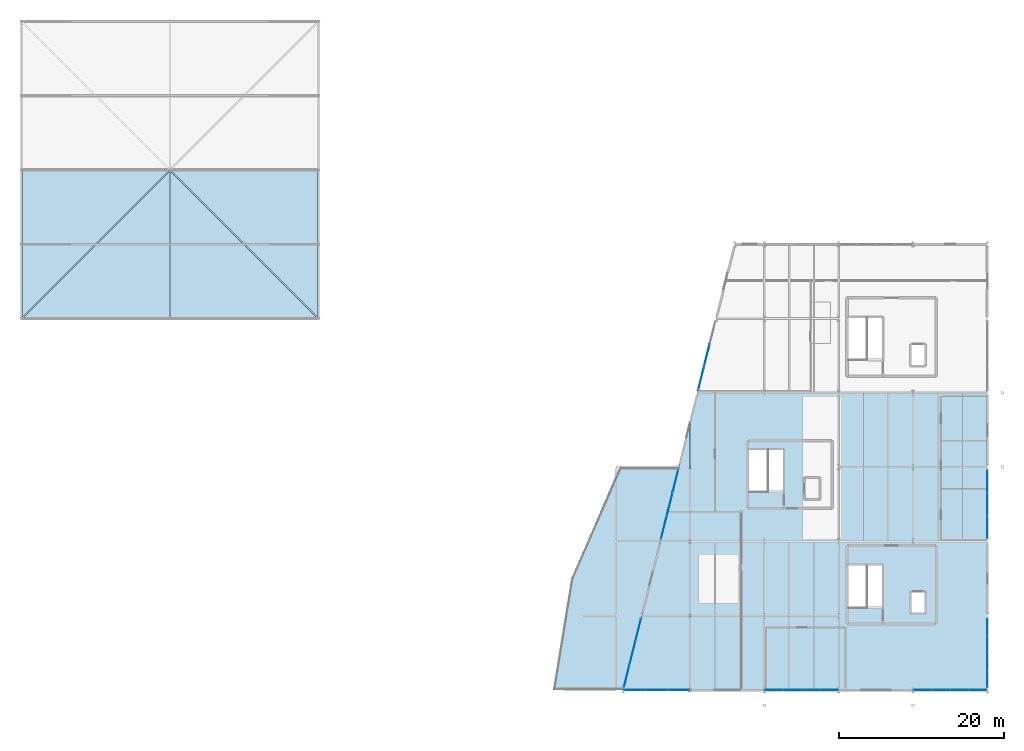
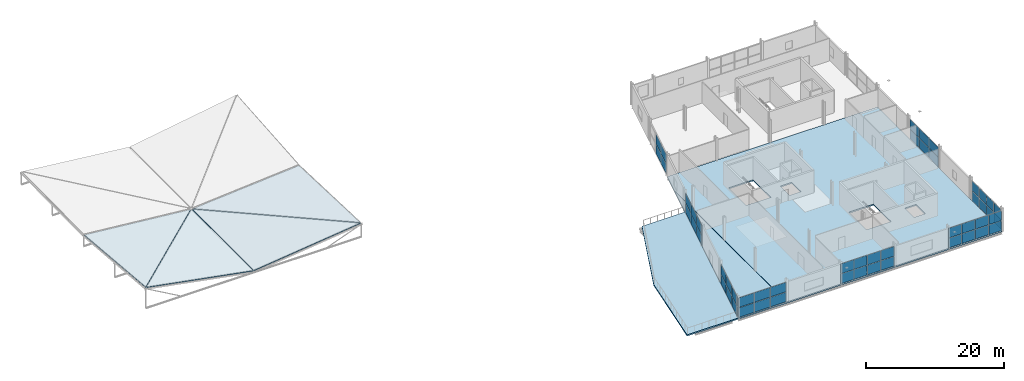
# One storey, part 34 of 44: 52 plates, 7 slabs, 8 elements without a shape of their own.
"""IFC4 building model written with IfcOpenShell, lengths in metres."""

from ifc_helpers import new_model, si_unit, direction, frame, origin, origin_2d, place, context, subcontext, project, spatial, polyline, rectangle, outline, extrude, material, layer, layer_set, type_object, element, aggregate, save


model = new_model("IFC4")

# Units and contexts
model_context = context("Model", 3, precision=1e-05, world=origin(), true_north=direction((0.0, 1.0)))
body_context = subcontext(model_context, "Body", "Model", "MODEL_VIEW")
ifc_project = project(units=[si_unit("LENGTHUNIT", "METRE"), si_unit("AREAUNIT", "SQUARE_METRE"), si_unit("VOLUMEUNIT", "CUBIC_METRE"), si_unit("PLANEANGLEUNIT", "RADIAN"), si_unit("MASSUNIT", "GRAM", prefix="KILO")], contexts=[model_context])

# Site, building, storey
site_placement = place(None, origin())
site = spatial("IfcSite", under=ifc_project, at=site_placement, CompositionType="ELEMENT")
building_placement = place(site_placement, origin())
building = spatial("IfcBuilding", under=site, at=building_placement, Name="Deido Ridge Mobility Hub", CompositionType="ELEMENT")
storey_placement = place(building_placement, frame((0.0, 0.0, 25.199951171875)))
storey = spatial("IfcBuildingStorey", under=building, at=storey_placement, Name="L06", CompositionType="ELEMENT", Elevation=25.199951171875)

# Curtain wall, plates
ifc_material_1 = material(Name="Anodised aluminium EN AW-6063 T6", Category="aluminium")
ifc_layer_1 = layer(ifc_material_1, 0.1650390625, Name="Anodised aluminium EN AW-6063 T6")
ifc_layer_set_1 = layer_set([ifc_layer_1], Name="Anodised aluminium EN AW-6063 T6")
curtain_wall_type_1 = type_object("IfcCurtainWallType", Name="CW-UF-1", PredefinedType="USERDEFINED", material=ifc_layer_set_1)
curtain_wall_1_placement = place(storey_placement, origin())
curtain_wall_1 = element("IfcCurtainWall", 1, at=curtain_wall_1_placement, inside=storey, type_object=curtain_wall_type_1, Name="Unitised curtain wall CW1", ObjectType="UNITISED FACADE", PredefinedType="USERDEFINED")
ifc_material_2 = material(Name="Laminated solar-control low-E glass", Category="glass")
ifc_layer_2 = layer(ifc_material_2, 0.02587890625, Name="Laminated solar-control low-E glass")
ifc_layer_set_2 = layer_set([ifc_layer_2], Name="Laminated solar-control low-E glass")
plate_type_1 = type_object("IfcPlateType", Name="PLT-CWP-26", PredefinedType="CURTAIN_PANEL", material=ifc_layer_set_2)
plate_1_placement = place(storey_placement, frame((154.143310546875, 0.0, 0.050048828125), z_axis=(0.0, 0.0, 1.0), x_axis=(1.0, 0.0, 0.0)))
plate_1 = element("IfcPlate", 2, at=plate_1_placement, type_object=plate_type_1, Name="CW1 panel 1.1", PredefinedType="CURTAIN_PANEL", context=body_context, shape_type="SweptSolid", body=[
    extrude(rectangle(XDim=2.171142578125, YDim=0.02587890625, at=origin_2d()), origin(), (0.0, 0.0, 1.0), 1.72509765625),
])
plate_2_placement = place(storey_placement, frame((154.143310546875, 0.0, 1.824951171875), z_axis=(0.0, 0.0, 1.0), x_axis=(1.0, 0.0, 0.0)))
plate_2 = element("IfcPlate", 3, at=plate_2_placement, type_object=plate_type_1, Name="CW1 panel 1.2", PredefinedType="CURTAIN_PANEL", context=body_context, shape_type="SweptSolid", body=[
    extrude(rectangle(XDim=2.171142578125, YDim=0.02587890625, at=origin_2d()), origin(), (0.0, 0.0, 1.0), 1.72509765625),
])
plate_3_placement = place(storey_placement, frame((156.376953125, 0.0, 0.050048828125), z_axis=(0.0, 0.0, 1.0), x_axis=(1.0, 0.0, 0.0)))
plate_3 = element("IfcPlate", 4, at=plate_3_placement, type_object=plate_type_1, Name="CW1 panel 2.1", PredefinedType="CURTAIN_PANEL", context=body_context, shape_type="SweptSolid", body=[
    extrude(rectangle(XDim=2.196044921875, YDim=0.02587890625, at=origin_2d()), origin(), (0.0, 0.0, 1.0), 1.72509765625),
])
plate_4_placement = place(storey_placement, frame((156.376953125, 0.0, 1.824951171875), z_axis=(0.0, 0.0, 1.0), x_axis=(1.0, 0.0, 0.0)))
plate_4 = element("IfcPlate", 5, at=plate_4_placement, type_object=plate_type_1, Name="CW1 panel 2.2", PredefinedType="CURTAIN_PANEL", context=body_context, shape_type="SweptSolid", body=[
    extrude(rectangle(XDim=2.196044921875, YDim=0.02587890625, at=origin_2d()), origin(), (0.0, 0.0, 1.0), 1.72509765625),
])
plate_5_placement = place(storey_placement, frame((158.623046875, 0.0, 0.050048828125), z_axis=(0.0, 0.0, 1.0), x_axis=(1.0, 0.0, 0.0)))
plate_5 = element("IfcPlate", 6, at=plate_5_placement, type_object=plate_type_1, Name="CW1 panel 3.1", PredefinedType="CURTAIN_PANEL", context=body_context, shape_type="SweptSolid", body=[
    extrude(rectangle(XDim=2.196044921875, YDim=0.02587890625, at=origin_2d()), origin(), (0.0, 0.0, 1.0), 1.72509765625),
])
plate_6_placement = place(storey_placement, frame((158.623046875, 0.0, 1.824951171875), z_axis=(0.0, 0.0, 1.0), x_axis=(1.0, 0.0, 0.0)))
plate_6 = element("IfcPlate", 7, at=plate_6_placement, type_object=plate_type_1, Name="CW1 panel 3.2", PredefinedType="CURTAIN_PANEL", context=body_context, shape_type="SweptSolid", body=[
    extrude(rectangle(XDim=2.196044921875, YDim=0.02587890625, at=origin_2d()), origin(), (0.0, 0.0, 1.0), 1.72509765625),
])
plate_7_placement = place(storey_placement, frame((160.856689453125, 0.0, 0.050048828125), z_axis=(0.0, 0.0, 1.0), x_axis=(1.0, 0.0, 0.0)))
plate_7 = element("IfcPlate", 8, at=plate_7_placement, type_object=plate_type_1, Name="CW1 panel 4.1", PredefinedType="CURTAIN_PANEL", context=body_context, shape_type="SweptSolid", body=[
    extrude(rectangle(XDim=2.171142578125, YDim=0.02587890625, at=origin_2d()), origin(), (0.0, 0.0, 1.0), 1.72509765625),
])
plate_8_placement = place(storey_placement, frame((160.856689453125, 0.0, 1.824951171875), z_axis=(0.0, 0.0, 1.0), x_axis=(1.0, 0.0, 0.0)))
plate_8 = element("IfcPlate", 9, at=plate_8_placement, type_object=plate_type_1, Name="CW1 panel 4.2", PredefinedType="CURTAIN_PANEL", context=body_context, shape_type="SweptSolid", body=[
    extrude(rectangle(XDim=2.171142578125, YDim=0.02587890625, at=origin_2d()), origin(), (0.0, 0.0, 1.0), 1.72509765625),
])
aggregate(curtain_wall_1, [plate_1, plate_2, plate_3, plate_4, plate_5, plate_6, plate_7, plate_8])

curtain_wall_2_placement = place(storey_placement, origin())
curtain_wall_2 = element("IfcCurtainWall", 10, at=curtain_wall_2_placement, inside=storey, type_object=curtain_wall_type_1, Name="Unitised curtain wall CW1", ObjectType="UNITISED FACADE", PredefinedType="USERDEFINED")
plate_9_placement = place(storey_placement, frame((180.0, 1.362548828125, 0.050048828125), z_axis=(0.0, 0.0, 1.0), x_axis=(0.0, 1.0, 0.0)))
plate_9 = element("IfcPlate", 11, at=plate_9_placement, type_object=plate_type_1, Name="CW1 panel 1.1", PredefinedType="CURTAIN_PANEL", context=body_context, shape_type="SweptSolid", body=[
    extrude(rectangle(XDim=2.02490234375, YDim=0.02587890625, at=origin_2d()), origin(), (0.0, 0.0, 1.0), 1.72509765625),
])
plate_10_placement = place(storey_placement, frame((180.0, 1.362548828125, 1.824951171875), z_axis=(0.0, 0.0, 1.0), x_axis=(0.0, 1.0, 0.0)))
plate_10 = element("IfcPlate", 12, at=plate_10_placement, type_object=plate_type_1, Name="CW1 panel 1.2", PredefinedType="CURTAIN_PANEL", context=body_context, shape_type="SweptSolid", body=[
    extrude(rectangle(XDim=2.02490234375, YDim=0.02587890625, at=origin_2d()), origin(), (0.0, 0.0, 1.0), 1.72509765625),
])
plate_11_placement = place(storey_placement, frame((180.0, 3.449951171875, 0.050048828125), z_axis=(0.0, 0.0, 1.0), x_axis=(0.0, 1.0, 0.0)))
plate_11 = element("IfcPlate", 13, at=plate_11_placement, type_object=plate_type_1, Name="CW1 panel 2.1", PredefinedType="CURTAIN_PANEL", context=body_context, shape_type="SweptSolid", body=[
    extrude(rectangle(XDim=2.050048828125, YDim=0.02587890625, at=origin_2d()), origin(), (0.0, 0.0, 1.0), 1.72509765625),
])
plate_12_placement = place(storey_placement, frame((180.0, 3.449951171875, 1.824951171875), z_axis=(0.0, 0.0, 1.0), x_axis=(0.0, 1.0, 0.0)))
plate_12 = element("IfcPlate", 14, at=plate_12_placement, type_object=plate_type_1, Name="CW1 panel 2.2", PredefinedType="CURTAIN_PANEL", context=body_context, shape_type="SweptSolid", body=[
    extrude(rectangle(XDim=2.050048828125, YDim=0.02587890625, at=origin_2d()), origin(), (0.0, 0.0, 1.0), 1.72509765625),
])
plate_13_placement = place(storey_placement, frame((180.0, 5.550048828125, 0.050048828125), z_axis=(0.0, 0.0, 1.0), x_axis=(0.0, 1.0, 0.0)))
plate_13 = element("IfcPlate", 15, at=plate_13_placement, type_object=plate_type_1, Name="CW1 panel 3.1", PredefinedType="CURTAIN_PANEL", context=body_context, shape_type="SweptSolid", body=[
    extrude(rectangle(XDim=2.050048828125, YDim=0.02587890625, at=origin_2d()), origin(), (0.0, 0.0, 1.0), 1.72509765625),
])
plate_14_placement = place(storey_placement, frame((180.0, 5.550048828125, 1.824951171875), z_axis=(0.0, 0.0, 1.0), x_axis=(0.0, 1.0, 0.0)))
plate_14 = element("IfcPlate", 16, at=plate_14_placement, type_object=plate_type_1, Name="CW1 panel 3.2", PredefinedType="CURTAIN_PANEL", context=body_context, shape_type="SweptSolid", body=[
    extrude(rectangle(XDim=2.050048828125, YDim=0.02587890625, at=origin_2d()), origin(), (0.0, 0.0, 1.0), 1.72509765625),
])
plate_15_placement = place(storey_placement, frame((180.0, 7.637451171875, 0.050048828125), z_axis=(0.0, 0.0, 1.0), x_axis=(0.0, 1.0, 0.0)))
plate_15 = element("IfcPlate", 17, at=plate_15_placement, type_object=plate_type_1, Name="CW1 panel 4.1", PredefinedType="CURTAIN_PANEL", context=body_context, shape_type="SweptSolid", body=[
    extrude(rectangle(XDim=2.02490234375, YDim=0.02587890625, at=origin_2d()), origin(), (0.0, 0.0, 1.0), 1.72509765625),
])
plate_16_placement = place(storey_placement, frame((180.0, 7.637451171875, 1.824951171875), z_axis=(0.0, 0.0, 1.0), x_axis=(0.0, 1.0, 0.0)))
plate_16 = element("IfcPlate", 18, at=plate_16_placement, type_object=plate_type_1, Name="CW1 panel 4.2", PredefinedType="CURTAIN_PANEL", context=body_context, shape_type="SweptSolid", body=[
    extrude(rectangle(XDim=2.02490234375, YDim=0.02587890625, at=origin_2d()), origin(), (0.0, 0.0, 1.0), 1.72509765625),
])
aggregate(curtain_wall_2, [plate_9, plate_10, plate_11, plate_12, plate_13, plate_14, plate_15, plate_16])

ifc_layer_3 = layer(ifc_material_1, 0.195068359375, Name="Anodised aluminium EN AW-6063 T6")
ifc_layer_set_3 = layer_set([ifc_layer_3], Name="Anodised aluminium EN AW-6063 T6")
curtain_wall_type_2 = type_object("IfcCurtainWallType", Name="CW-UF-3", PredefinedType="USERDEFINED", material=ifc_layer_set_3)
curtain_wall_3_placement = place(storey_placement, origin())
curtain_wall_3 = element("IfcCurtainWall", 19, at=curtain_wall_3_placement, inside=storey, type_object=curtain_wall_type_2, Name="Unitised curtain wall CW3", ObjectType="UNITISED FACADE", PredefinedType="USERDEFINED")
ifc_layer_4 = layer(ifc_material_2, 0.031005859375, Name="Laminated solar-control low-E glass")
ifc_layer_set_4 = layer_set([ifc_layer_4], Name="Laminated solar-control low-E glass")
plate_type_2 = type_object("IfcPlateType", Name="PLT-CWP-31", PredefinedType="CURTAIN_PANEL", material=ifc_layer_set_4)
plate_17_placement = place(storey_placement, frame((172.145751953125, 0.0, 0.06005859375), z_axis=(0.0, 0.0, 1.0), x_axis=(1.0, 0.0, 0.0)))
plate_17 = element("IfcPlate", 20, at=plate_17_placement, type_object=plate_type_2, Name="CW3 panel 1.1", PredefinedType="CURTAIN_PANEL", context=body_context, shape_type="SweptSolid", body=[
    extrude(rectangle(XDim=2.15625, YDim=0.031005859375, at=origin_2d()), origin(), (0.0, 0.0, 1.0), 1.7099609375),
])
plate_18_placement = place(storey_placement, frame((172.145751953125, 0.0, 1.830078125), z_axis=(0.0, 0.0, 1.0), x_axis=(1.0, 0.0, 0.0)))
plate_18 = element("IfcPlate", 21, at=plate_18_placement, type_object=plate_type_2, Name="CW3 panel 1.2", PredefinedType="CURTAIN_PANEL", context=body_context, shape_type="SweptSolid", body=[
    extrude(rectangle(XDim=2.15625, YDim=0.031005859375, at=origin_2d()), origin(), (0.0, 0.0, 1.0), 1.7099609375),
])
plate_19_placement = place(storey_placement, frame((174.376953125, 0.0, 0.06005859375), z_axis=(0.0, 0.0, 1.0), x_axis=(1.0, 0.0, 0.0)))
plate_19 = element("IfcPlate", 22, at=plate_19_placement, type_object=plate_type_2, Name="CW3 panel 2.1", PredefinedType="CURTAIN_PANEL", context=body_context, shape_type="SweptSolid", body=[
    extrude(rectangle(XDim=2.18603515625, YDim=0.031005859375, at=origin_2d()), origin(), (0.0, 0.0, 1.0), 1.7099609375),
])
plate_20_placement = place(storey_placement, frame((174.376953125, 0.0, 1.830078125), z_axis=(0.0, 0.0, 1.0), x_axis=(1.0, 0.0, 0.0)))
plate_20 = element("IfcPlate", 23, at=plate_20_placement, type_object=plate_type_2, Name="CW3 panel 2.2", PredefinedType="CURTAIN_PANEL", context=body_context, shape_type="SweptSolid", body=[
    extrude(rectangle(XDim=2.18603515625, YDim=0.031005859375, at=origin_2d()), origin(), (0.0, 0.0, 1.0), 1.7099609375),
])
plate_21_placement = place(storey_placement, frame((176.623046875, 0.0, 0.06005859375), z_axis=(0.0, 0.0, 1.0), x_axis=(1.0, 0.0, 0.0)))
plate_21 = element("IfcPlate", 24, at=plate_21_placement, type_object=plate_type_2, Name="CW3 panel 3.1", PredefinedType="CURTAIN_PANEL", context=body_context, shape_type="SweptSolid", body=[
    extrude(rectangle(XDim=2.18603515625, YDim=0.031005859375, at=origin_2d()), origin(), (0.0, 0.0, 1.0), 1.7099609375),
])
plate_22_placement = place(storey_placement, frame((176.623046875, 0.0, 1.830078125), z_axis=(0.0, 0.0, 1.0), x_axis=(1.0, 0.0, 0.0)))
plate_22 = element("IfcPlate", 25, at=plate_22_placement, type_object=plate_type_2, Name="CW3 panel 3.2", PredefinedType="CURTAIN_PANEL", context=body_context, shape_type="SweptSolid", body=[
    extrude(rectangle(XDim=2.18603515625, YDim=0.031005859375, at=origin_2d()), origin(), (0.0, 0.0, 1.0), 1.7099609375),
])
plate_23_placement = place(storey_placement, frame((178.854248046875, 0.0, 0.06005859375), z_axis=(0.0, 0.0, 1.0), x_axis=(1.0, 0.0, 0.0)))
plate_23 = element("IfcPlate", 26, at=plate_23_placement, type_object=plate_type_2, Name="CW3 panel 4.1", PredefinedType="CURTAIN_PANEL", context=body_context, shape_type="SweptSolid", body=[
    extrude(rectangle(XDim=2.15625, YDim=0.031005859375, at=origin_2d()), origin(), (0.0, 0.0, 1.0), 1.7099609375),
])
plate_24_placement = place(storey_placement, frame((178.854248046875, 0.0, 1.830078125), z_axis=(0.0, 0.0, 1.0), x_axis=(1.0, 0.0, 0.0)))
plate_24 = element("IfcPlate", 27, at=plate_24_placement, type_object=plate_type_2, Name="CW3 panel 4.2", PredefinedType="CURTAIN_PANEL", context=body_context, shape_type="SweptSolid", body=[
    extrude(rectangle(XDim=2.15625, YDim=0.031005859375, at=origin_2d()), origin(), (0.0, 0.0, 1.0), 1.7099609375),
])
aggregate(curtain_wall_3, [plate_17, plate_18, plate_19, plate_20, plate_21, plate_22, plate_23, plate_24])

curtain_wall_4_placement = place(storey_placement, origin())
curtain_wall_4 = element("IfcCurtainWall", 28, at=curtain_wall_4_placement, inside=storey, type_object=curtain_wall_type_2, Name="Unitised curtain wall CW3", ObjectType="UNITISED FACADE", PredefinedType="USERDEFINED")
plate_25_placement = place(storey_placement, frame((180.0, 19.715087890625, 0.06005859375), z_axis=(0.0, 0.0, 1.0), x_axis=(0.0, 1.0, 0.0)))
plate_25 = element("IfcPlate", 29, at=plate_25_placement, type_object=plate_type_2, Name="CW3 panel 1.1", PredefinedType="CURTAIN_PANEL", context=body_context, shape_type="SweptSolid", body=[
    extrude(rectangle(XDim=2.7099609375, YDim=0.031005859375, at=origin_2d()), origin(), (0.0, 0.0, 1.0), 1.7099609375),
])
plate_26_placement = place(storey_placement, frame((180.0, 19.715087890625, 1.830078125), z_axis=(0.0, 0.0, 1.0), x_axis=(0.0, 1.0, 0.0)))
plate_26 = element("IfcPlate", 30, at=plate_26_placement, type_object=plate_type_2, Name="CW3 panel 1.2", PredefinedType="CURTAIN_PANEL", context=body_context, shape_type="SweptSolid", body=[
    extrude(rectangle(XDim=2.7099609375, YDim=0.031005859375, at=origin_2d()), origin(), (0.0, 0.0, 1.0), 1.7099609375),
])
plate_27_placement = place(storey_placement, frame((180.0, 22.5, 0.06005859375), z_axis=(0.0, 0.0, 1.0), x_axis=(0.0, 1.0, 0.0)))
plate_27 = element("IfcPlate", 31, at=plate_27_placement, type_object=plate_type_2, Name="CW3 panel 2.1", PredefinedType="CURTAIN_PANEL", context=body_context, shape_type="SweptSolid", body=[
    extrude(rectangle(XDim=2.739990234375, YDim=0.031005859375, at=origin_2d()), origin(), (0.0, 0.0, 1.0), 1.7099609375),
])
plate_28_placement = place(storey_placement, frame((180.0, 22.5, 1.830078125), z_axis=(0.0, 0.0, 1.0), x_axis=(0.0, 1.0, 0.0)))
plate_28 = element("IfcPlate", 32, at=plate_28_placement, type_object=plate_type_2, Name="CW3 panel 2.2", PredefinedType="CURTAIN_PANEL", context=body_context, shape_type="SweptSolid", body=[
    extrude(rectangle(XDim=2.739990234375, YDim=0.031005859375, at=origin_2d()), origin(), (0.0, 0.0, 1.0), 1.7099609375),
])
plate_29_placement = place(storey_placement, frame((180.0, 25.284912109375, 0.06005859375), z_axis=(0.0, 0.0, 1.0), x_axis=(0.0, 1.0, 0.0)))
plate_29 = element("IfcPlate", 33, at=plate_29_placement, type_object=plate_type_2, Name="CW3 panel 3.1", PredefinedType="CURTAIN_PANEL", context=body_context, shape_type="SweptSolid", body=[
    extrude(rectangle(XDim=2.7099609375, YDim=0.031005859375, at=origin_2d()), origin(), (0.0, 0.0, 1.0), 1.7099609375),
])
plate_30_placement = place(storey_placement, frame((180.0, 25.284912109375, 1.830078125), z_axis=(0.0, 0.0, 1.0), x_axis=(0.0, 1.0, 0.0)))
plate_30 = element("IfcPlate", 34, at=plate_30_placement, type_object=plate_type_2, Name="CW3 panel 3.2", PredefinedType="CURTAIN_PANEL", context=body_context, shape_type="SweptSolid", body=[
    extrude(rectangle(XDim=2.7099609375, YDim=0.031005859375, at=origin_2d()), origin(), (0.0, 0.0, 1.0), 1.7099609375),
])
aggregate(curtain_wall_4, [plate_25, plate_26, plate_27, plate_28, plate_29, plate_30])

ifc_layer_5 = layer(ifc_material_1, 0.2099609375, Name="Anodised aluminium EN AW-6063 T6")
ifc_layer_set_5 = layer_set([ifc_layer_5], Name="Anodised aluminium EN AW-6063 T6")
curtain_wall_type_3 = type_object("IfcCurtainWallType", Name="CW-UF-4", PredefinedType="USERDEFINED", material=ifc_layer_set_5)
curtain_wall_5_placement = place(storey_placement, origin())
curtain_wall_5 = element("IfcCurtainWall", 35, at=curtain_wall_5_placement, inside=storey, type_object=curtain_wall_type_3, Name="Unitised curtain wall CW4", ObjectType="UNITISED FACADE", PredefinedType="USERDEFINED")
plate_31_placement = place(storey_placement, frame((136.33154296875, 1.726318359375, 0.06005859375), z_axis=(0.0, 0.0, 1.0), x_axis=(0.242535625038, 0.970142500145, 0.0)))
plate_31 = element("IfcPlate", 36, at=plate_31_placement, type_object=plate_type_2, Name="CW4 panel 1.1", PredefinedType="CURTAIN_PANEL", context=body_context, shape_type="SweptSolid", body=[
    extrude(rectangle(XDim=2.7841796875, YDim=0.031005859375, at=origin_2d()), origin(), (0.0, 0.0, 1.0), 1.7099609375),
])
plate_32_placement = place(storey_placement, frame((136.33154296875, 1.726318359375, 1.830078125), z_axis=(0.0, 0.0, 1.0), x_axis=(0.242535625038, 0.970142500145, 0.0)))
plate_32 = element("IfcPlate", 37, at=plate_32_placement, type_object=plate_type_2, Name="CW4 panel 1.2", PredefinedType="CURTAIN_PANEL", context=body_context, shape_type="SweptSolid", body=[
    extrude(rectangle(XDim=2.7841796875, YDim=0.031005859375, at=origin_2d()), origin(), (0.0, 0.0, 1.0), 1.7099609375),
])
plate_33_placement = place(storey_placement, frame((137.02490234375, 4.5, 0.06005859375), z_axis=(0.0, 0.0, 1.0), x_axis=(0.242535625038, 0.970142500145, 0.0)))
plate_33 = element("IfcPlate", 38, at=plate_33_placement, type_object=plate_type_2, Name="CW4 panel 2.1", PredefinedType="CURTAIN_PANEL", context=body_context, shape_type="SweptSolid", body=[
    extrude(rectangle(XDim=2.81396484375, YDim=0.031005859375, at=origin_2d()), origin(), (0.0, 0.0, 1.0), 1.7099609375),
])
plate_34_placement = place(storey_placement, frame((137.02490234375, 4.5, 1.830078125), z_axis=(0.0, 0.0, 1.0), x_axis=(0.242535625038, 0.970142500145, 0.0)))
plate_34 = element("IfcPlate", 39, at=plate_34_placement, type_object=plate_type_2, Name="CW4 panel 2.2", PredefinedType="CURTAIN_PANEL", context=body_context, shape_type="SweptSolid", body=[
    extrude(rectangle(XDim=2.81396484375, YDim=0.031005859375, at=origin_2d()), origin(), (0.0, 0.0, 1.0), 1.7099609375),
])
plate_35_placement = place(storey_placement, frame((137.718505859375, 7.273681640625, 0.06005859375), z_axis=(0.0, 0.0, 1.0), x_axis=(0.242535625038, 0.970142500145, 0.0)))
plate_35 = element("IfcPlate", 40, at=plate_35_placement, type_object=plate_type_2, Name="CW4 panel 3.1", PredefinedType="CURTAIN_PANEL", context=body_context, shape_type="SweptSolid", body=[
    extrude(rectangle(XDim=2.7841796875, YDim=0.031005859375, at=origin_2d()), origin(), (0.0, 0.0, 1.0), 1.7099609375),
])
plate_36_placement = place(storey_placement, frame((137.718505859375, 7.273681640625, 1.830078125), z_axis=(0.0, 0.0, 1.0), x_axis=(0.242535625038, 0.970142500145, 0.0)))
plate_36 = element("IfcPlate", 41, at=plate_36_placement, type_object=plate_type_2, Name="CW4 panel 3.2", PredefinedType="CURTAIN_PANEL", context=body_context, shape_type="SweptSolid", body=[
    extrude(rectangle(XDim=2.7841796875, YDim=0.031005859375, at=origin_2d()), origin(), (0.0, 0.0, 1.0), 1.7099609375),
])
aggregate(curtain_wall_5, [plate_31, plate_32, plate_33, plate_34, plate_35, plate_36])

ifc_layer_6 = layer(ifc_material_1, 0.239990234375, Name="Anodised aluminium EN AW-6063 T6")
ifc_layer_set_6 = layer_set([ifc_layer_6], Name="Anodised aluminium EN AW-6063 T6")
curtain_wall_type_4 = type_object("IfcCurtainWallType", Name="CW-UF-6", PredefinedType="USERDEFINED", material=ifc_layer_set_6)
curtain_wall_6_placement = place(storey_placement, origin())
curtain_wall_6 = element("IfcCurtainWall", 42, at=curtain_wall_6_placement, inside=storey, type_object=curtain_wall_type_4, Name="Unitised curtain wall CW6", ObjectType="UNITISED FACADE", PredefinedType="USERDEFINED")
ifc_layer_7 = layer(ifc_material_2, 0.034912109375, Name="Laminated solar-control low-E glass")
ifc_layer_set_7 = layer_set([ifc_layer_7], Name="Laminated solar-control low-E glass")
plate_type_3 = type_object("IfcPlateType", Name="PLT-CWP-35", PredefinedType="CURTAIN_PANEL", material=ifc_layer_set_7)
plate_37_placement = place(storey_placement, frame((140.832275390625, 19.728759765625, 0.06982421875), z_axis=(0.0, 0.0, 1.0), x_axis=(0.242535625038, 0.970142500145, 0.0)))
plate_37 = element("IfcPlate", 43, at=plate_37_placement, type_object=plate_type_3, Name="CW6 panel 1.1", PredefinedType="CURTAIN_PANEL", context=body_context, shape_type="SweptSolid", body=[
    extrude(rectangle(XDim=2.76904296875, YDim=0.034912109375, at=origin_2d()), origin(), (0.0, 0.0, 1.0), 1.695068359375),
])
plate_38_placement = place(storey_placement, frame((140.832275390625, 19.728759765625, 1.8349609375), z_axis=(0.0, 0.0, 1.0), x_axis=(0.242535625038, 0.970142500145, 0.0)))
plate_38 = element("IfcPlate", 44, at=plate_38_placement, type_object=plate_type_3, Name="CW6 panel 1.2", PredefinedType="CURTAIN_PANEL", context=body_context, shape_type="SweptSolid", body=[
    extrude(rectangle(XDim=2.76904296875, YDim=0.034912109375, at=origin_2d()), origin(), (0.0, 0.0, 1.0), 1.695068359375),
])
plate_39_placement = place(storey_placement, frame((141.52490234375, 22.5, 0.06982421875), z_axis=(0.0, 0.0, 1.0), x_axis=(0.242535625038, 0.970142500145, 0.0)))
plate_39 = element("IfcPlate", 45, at=plate_39_placement, type_object=plate_type_3, Name="CW6 panel 2.1", PredefinedType="CURTAIN_PANEL", context=body_context, shape_type="SweptSolid", body=[
    extrude(rectangle(XDim=2.80419921875, YDim=0.034912109375, at=origin_2d()), origin(), (0.0, 0.0, 1.0), 1.695068359375),
])
plate_40_placement = place(storey_placement, frame((141.52490234375, 22.5, 1.8349609375), z_axis=(0.0, 0.0, 1.0), x_axis=(0.242535625038, 0.970142500145, 0.0)))
plate_40 = element("IfcPlate", 46, at=plate_40_placement, type_object=plate_type_3, Name="CW6 panel 2.2", PredefinedType="CURTAIN_PANEL", context=body_context, shape_type="SweptSolid", body=[
    extrude(rectangle(XDim=2.80419921875, YDim=0.034912109375, at=origin_2d()), origin(), (0.0, 0.0, 1.0), 1.695068359375),
])
plate_41_placement = place(storey_placement, frame((142.2177734375, 25.271240234375, 0.06982421875), z_axis=(0.0, 0.0, 1.0), x_axis=(0.242535625038, 0.970142500145, 0.0)))
plate_41 = element("IfcPlate", 47, at=plate_41_placement, type_object=plate_type_3, Name="CW6 panel 3.1", PredefinedType="CURTAIN_PANEL", context=body_context, shape_type="SweptSolid", body=[
    extrude(rectangle(XDim=2.76904296875, YDim=0.034912109375, at=origin_2d()), origin(), (0.0, 0.0, 1.0), 1.695068359375),
])
plate_42_placement = place(storey_placement, frame((142.2177734375, 25.271240234375, 1.8349609375), z_axis=(0.0, 0.0, 1.0), x_axis=(0.242535625038, 0.970142500145, 0.0)))
plate_42 = element("IfcPlate", 48, at=plate_42_placement, type_object=plate_type_3, Name="CW6 panel 3.2", PredefinedType="CURTAIN_PANEL", context=body_context, shape_type="SweptSolid", body=[
    extrude(rectangle(XDim=2.76904296875, YDim=0.034912109375, at=origin_2d()), origin(), (0.0, 0.0, 1.0), 1.695068359375),
])
aggregate(curtain_wall_6, [plate_37, plate_38, plate_39, plate_40, plate_41, plate_42])

ifc_layer_8 = layer(ifc_material_1, 0.2548828125, Name="Anodised aluminium EN AW-6063 T6")
ifc_layer_set_8 = layer_set([ifc_layer_8], Name="Anodised aluminium EN AW-6063 T6")
curtain_wall_type_5 = type_object("IfcCurtainWallType", Name="CW-UF-7", PredefinedType="USERDEFINED", material=ifc_layer_set_8)
curtain_wall_7_placement = place(storey_placement, origin())
curtain_wall_7 = element("IfcCurtainWall", 49, at=curtain_wall_7_placement, inside=storey, type_object=curtain_wall_type_5, Name="Unitised curtain wall CW7", ObjectType="UNITISED FACADE", PredefinedType="USERDEFINED")
ifc_layer_9 = layer(ifc_material_2, 0.0390625, Name="Laminated solar-control low-E glass")
ifc_layer_set_9 = layer_set([ifc_layer_9], Name="Laminated solar-control low-E glass")
plate_type_4 = type_object("IfcPlateType", Name="PLT-CWP-39", PredefinedType="CURTAIN_PANEL", material=ifc_layer_set_9)
plate_43_placement = place(storey_placement, frame((137.27490234375, 0.0, 0.080078125), z_axis=(0.0, 0.0, 1.0), x_axis=(1.0, 0.0, 0.0)))
plate_43 = element("IfcPlate", 50, at=plate_43_placement, type_object=plate_type_4, Name="CW7 panel 1.1", PredefinedType="CURTAIN_PANEL", context=body_context, shape_type="SweptSolid", body=[
    extrude(rectangle(XDim=2.574462890625, YDim=0.0390625, at=origin_2d()), origin(), (0.0, 0.0, 1.0), 1.679931640625),
])
plate_44_placement = place(storey_placement, frame((137.27490234375, 0.0, 1.83984375), z_axis=(0.0, 0.0, 1.0), x_axis=(1.0, 0.0, 0.0)))
plate_44 = element("IfcPlate", 51, at=plate_44_placement, type_object=plate_type_4, Name="CW7 panel 1.2", PredefinedType="CURTAIN_PANEL", context=body_context, shape_type="SweptSolid", body=[
    extrude(rectangle(XDim=2.574462890625, YDim=0.0390625, at=origin_2d()), origin(), (0.0, 0.0, 1.0), 1.679931640625),
])
plate_45_placement = place(storey_placement, frame((139.949462890625, 0.0, 0.080078125), z_axis=(0.0, 0.0, 1.0), x_axis=(1.0, 0.0, 0.0)))
plate_45 = element("IfcPlate", 52, at=plate_45_placement, type_object=plate_type_4, Name="CW7 panel 2.1", PredefinedType="CURTAIN_PANEL", context=body_context, shape_type="SweptSolid", body=[
    extrude(rectangle(XDim=2.614501953125, YDim=0.0390625, at=origin_2d()), origin(), (0.0, 0.0, 1.0), 1.679931640625),
])
plate_46_placement = place(storey_placement, frame((139.949462890625, 0.0, 1.83984375), z_axis=(0.0, 0.0, 1.0), x_axis=(1.0, 0.0, 0.0)))
plate_46 = element("IfcPlate", 53, at=plate_46_placement, type_object=plate_type_4, Name="CW7 panel 2.2", PredefinedType="CURTAIN_PANEL", context=body_context, shape_type="SweptSolid", body=[
    extrude(rectangle(XDim=2.614501953125, YDim=0.0390625, at=origin_2d()), origin(), (0.0, 0.0, 1.0), 1.679931640625),
])
plate_47_placement = place(storey_placement, frame((142.6240234375, 0.0, 0.080078125), z_axis=(0.0, 0.0, 1.0), x_axis=(1.0, 0.0, 0.0)))
plate_47 = element("IfcPlate", 54, at=plate_47_placement, type_object=plate_type_4, Name="CW7 panel 3.1", PredefinedType="CURTAIN_PANEL", context=body_context, shape_type="SweptSolid", body=[
    extrude(rectangle(XDim=2.574462890625, YDim=0.0390625, at=origin_2d()), origin(), (0.0, 0.0, 1.0), 1.679931640625),
])
plate_48_placement = place(storey_placement, frame((142.6240234375, 0.0, 1.83984375), z_axis=(0.0, 0.0, 1.0), x_axis=(1.0, 0.0, 0.0)))
plate_48 = element("IfcPlate", 55, at=plate_48_placement, type_object=plate_type_4, Name="CW7 panel 3.2", PredefinedType="CURTAIN_PANEL", context=body_context, shape_type="SweptSolid", body=[
    extrude(rectangle(XDim=2.574462890625, YDim=0.0390625, at=origin_2d()), origin(), (0.0, 0.0, 1.0), 1.679931640625),
])
aggregate(curtain_wall_7, [plate_43, plate_44, plate_45, plate_46, plate_47, plate_48])

ifc_layer_10 = layer(ifc_material_1, 0.27001953125, Name="Anodised aluminium EN AW-6063 T6")
ifc_layer_set_10 = layer_set([ifc_layer_10], Name="Anodised aluminium EN AW-6063 T6")
curtain_wall_type_6 = type_object("IfcCurtainWallType", Name="CW-UF-8", PredefinedType="USERDEFINED", material=ifc_layer_set_10)
curtain_wall_8_placement = place(storey_placement, origin())
curtain_wall_8 = element("IfcCurtainWall", 56, at=curtain_wall_8_placement, inside=storey, type_object=curtain_wall_type_6, Name="Unitised curtain wall CW8", ObjectType="UNITISED FACADE", PredefinedType="USERDEFINED")
plate_49_placement = place(storey_placement, frame((145.332763671875, 37.731201171875, 0.080078125), z_axis=(0.0, 0.0, 1.0), x_axis=(0.242535625038, 0.970142500145, 0.0)))
plate_49 = element("IfcPlate", 57, at=plate_49_placement, type_object=plate_type_4, Name="CW8 panel 1.1", PredefinedType="CURTAIN_PANEL", context=body_context, shape_type="SweptSolid", body=[
    extrude(rectangle(XDim=2.754150390625, YDim=0.0390625, at=origin_2d()), origin(), (0.0, 0.0, 1.0), 1.679931640625),
])
plate_50_placement = place(storey_placement, frame((145.332763671875, 37.731201171875, 1.83984375), z_axis=(0.0, 0.0, 1.0), x_axis=(0.242535625038, 0.970142500145, 0.0)))
plate_50 = element("IfcPlate", 58, at=plate_50_placement, type_object=plate_type_4, Name="CW8 panel 1.2", PredefinedType="CURTAIN_PANEL", context=body_context, shape_type="SweptSolid", body=[
    extrude(rectangle(XDim=2.754150390625, YDim=0.0390625, at=origin_2d()), origin(), (0.0, 0.0, 1.0), 1.679931640625),
])
plate_51_placement = place(storey_placement, frame((146.02490234375, 40.5, 0.080078125), z_axis=(0.0, 0.0, 1.0), x_axis=(0.242535625038, 0.970142500145, 0.0)))
plate_51 = element("IfcPlate", 59, at=plate_51_placement, type_object=plate_type_4, Name="CW8 panel 2.1", PredefinedType="CURTAIN_PANEL", context=body_context, shape_type="SweptSolid", body=[
    extrude(rectangle(XDim=2.794189453125, YDim=0.0390625, at=origin_2d()), origin(), (0.0, 0.0, 1.0), 1.679931640625),
])
plate_52_placement = place(storey_placement, frame((146.02490234375, 40.5, 1.83984375), z_axis=(0.0, 0.0, 1.0), x_axis=(0.242535625038, 0.970142500145, 0.0)))
plate_52 = element("IfcPlate", 60, at=plate_52_placement, type_object=plate_type_4, Name="CW8 panel 2.2", PredefinedType="CURTAIN_PANEL", context=body_context, shape_type="SweptSolid", body=[
    extrude(rectangle(XDim=2.794189453125, YDim=0.0390625, at=origin_2d()), origin(), (0.0, 0.0, 1.0), 1.679931640625),
])
aggregate(curtain_wall_8, [plate_49, plate_50, plate_51, plate_52])

# Slabs
ifc_material_3 = material(Name="Concrete C35/45", Category="concrete")
ifc_layer_11 = layer(ifc_material_3, 0.239990234375, Name="Concrete C35/45")
ifc_layer_set_11 = layer_set([ifc_layer_11], Name="Concrete C35/45")
slab_type_1 = type_object("IfcSlabType", Name="SLB-EXT-240", PredefinedType="FLOOR", material=ifc_layer_set_11)
slab_1_placement = place(storey_placement, frame((0.0, 0.0, -0.239990234375)))
element("IfcSlab", 61, at=slab_1_placement, inside=storey, type_object=slab_type_1, Name="L06 Upper Escarpment Viewing Terrace", PredefinedType="FLOOR", context=body_context, shape_type="SweptSolid", body=[
    extrude(outline(polyline([(127.39990234375, 0.0), (135.89990234375, 0.0), (142.64990234375, 27.0), (135.449951171875, 27.0), (129.60009765625, 13.5), (127.39990234375, 0.0)])), origin(), (0.0, 0.0, 1.0), 0.239990234375),
])
ifc_layer_12 = layer(ifc_material_3, 0.239990234375, Name="Concrete C35/45")
ifc_layer_set_12 = layer_set([ifc_layer_12], Name="Concrete C35/45")
slab_type_2 = type_object("IfcSlabType", Name="SLB-FLR-240", PredefinedType="FLOOR", material=ifc_layer_set_12)
slab_2_placement = place(storey_placement, frame((0.0, 0.0, -0.239990234375)))
element("IfcSlab", 62, at=slab_2_placement, inside=storey, type_object=slab_type_2, Name="L06 V6 structural deck 68", PredefinedType="FLOOR", context=body_context, shape_type="SweptSolid", body=[
    extrude(outline(polyline([(143.97509765625, 32.300048828125), (143.97509765625, 0.0), (135.89990234375, 0.0), (143.97509765625, 32.300048828125)])), origin(), (0.0, 0.0, 1.0), 0.239990234375),
])
slab_3_placement = place(storey_placement, frame((0.0, 0.0, -0.239990234375)))
element("IfcSlab", 63, at=slab_3_placement, inside=storey, type_object=slab_type_2, Name="L06 V6 structural deck 69", PredefinedType="FLOOR", context=body_context, shape_type="SweptSolid", body=[
    extrude(outline(polyline([(144.89990234375, 36.0), (180.0, 36.0), (180.0, 0.0), (144.02490234375, 0.0), (144.02490234375, 32.5), (144.89990234375, 36.0)]), holes=[polyline([(172.550048828125, 11.949951171875), (172.550048828125, 9.25), (170.64990234375, 9.25), (170.64990234375, 11.949951171875), (172.550048828125, 11.949951171875)]), polyline([(167.239990234375, 10.0), (163.139892578125, 10.0), (163.139892578125, 15.10009765625), (167.239990234375, 15.10009765625), (167.239990234375, 10.0)]), polyline([(159.75, 23.050048828125), (157.85009765625, 23.050048828125), (157.85009765625, 25.75), (159.75, 25.75), (159.75, 23.050048828125)]), polyline([(155.239990234375, 29.10009765625), (155.239990234375, 24.0), (151.139892578125, 24.0), (151.139892578125, 29.10009765625), (155.239990234375, 29.10009765625)])]), origin(), (0.0, 0.0, 1.0), 0.239990234375),
])
ifc_layer_13 = layer(ifc_material_3, 0.1201171875, Name="Concrete C35/45")
ifc_layer_set_13 = layer_set([ifc_layer_13], Name="Concrete C35/45")
slab_type_3 = type_object("IfcSlabType", Name="SLB-ROOF-120", PredefinedType="ROOF", material=ifc_layer_set_13)
slab_4_placement = place(storey_placement, frame((63.14404296875, 45.072021484375, 3.5732421875), z_axis=(0.182435804909, 0.0, 0.983217766869), x_axis=(0.983217766869, 0.0, -0.182435804909)))
element("IfcSlab", 64, at=slab_4_placement, inside=storey, type_object=slab_type_3, Name="Sports pavilion folded origami roof Origami-SW1", PredefinedType="ROOF", context=body_context, shape_type="SweptSolid", body=[
    extrude(outline(polyline([(0.0, 0.0), (18.087483918750312, 0.0), (18.087483918750312, 17.783935546875), (0.0, 0.0)])), origin(), (0.0, 0.0, -1.0), 0.1201171875),
])
slab_5_placement = place(storey_placement, frame((63.072021484375, 45.14404296875, 3.580322265625), z_axis=(0.09585062443, 0.088133029422, 0.991486372534), x_axis=(0.701097177111, 0.701097177111, -0.130098026482)))
element("IfcSlab", 65, at=slab_5_placement, inside=storey, type_object=slab_type_3, Name="Sports pavilion folded origami roof Origami-SW2", PredefinedType="ROOF", context=body_context, shape_type="SweptSolid", body=[
    extrude(outline(polyline([(0.0, 0.0), (25.365863859502554, -1.5716594692349872e-15), (12.673927342225015, 12.575328673419104), (0.0, 0.0)])), origin(), (0.0, 0.0, -1.0), 0.1201171875),
])
slab_6_placement = place(storey_placement, frame((81.072021484375, 45.072021484375, 0.2685546875), z_axis=(-0.118067910896, 0.0, 0.993005522853), x_axis=(0.993005522853, 0.0, 0.118067910896)))
element("IfcSlab", 66, at=slab_6_placement, inside=storey, type_object=slab_type_3, Name="Sports pavilion folded origami roof Origami-SE1", PredefinedType="ROOF", context=body_context, shape_type="SweptSolid", body=[
    extrude(outline(polyline([(0.0, 0.0), (17.909201044300485, 0.0), (0.0, 17.783935546875), (0.0, 0.0)])), origin(), (0.0, 0.0, -1.0), 0.1201171875),
])
slab_7_placement = place(storey_placement, frame((98.927978515625, 45.14404296875, 2.388671875), z_axis=(-0.079679384453, 0.038738921599, 0.996067513599), x_axis=(0.0, 0.999244568362, -0.038862483178)))
element("IfcSlab", 67, at=slab_7_placement, inside=storey, type_object=slab_type_3, Name="Sports pavilion folded origami roof Origami-SE2", PredefinedType="ROOF", context=body_context, shape_type="SweptSolid", body=[
    extrude(outline(polyline([(0.0, 0.0), (17.797380250987953, 0.0), (17.852666307990148, 17.840659148811717), (0.0, 0.0)])), origin(), (0.0, 0.0, -1.0), 0.1201171875),
])

save(model, "model.ifc")
